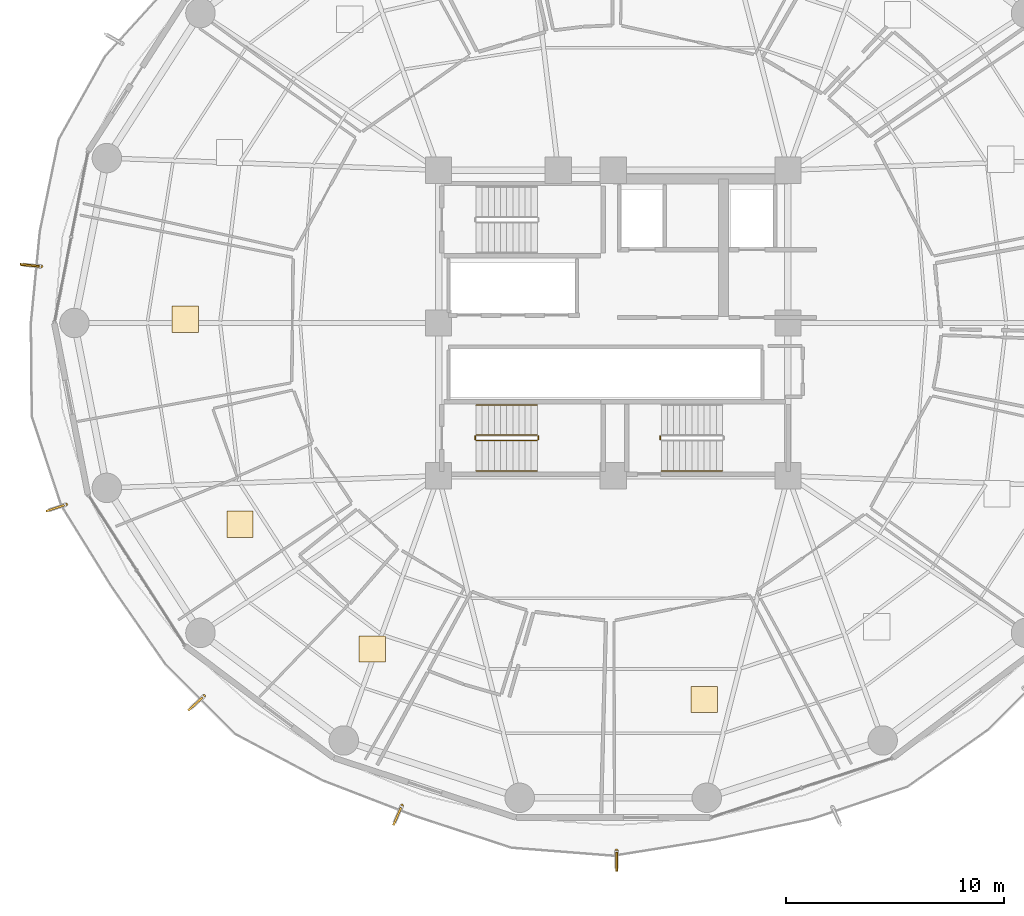
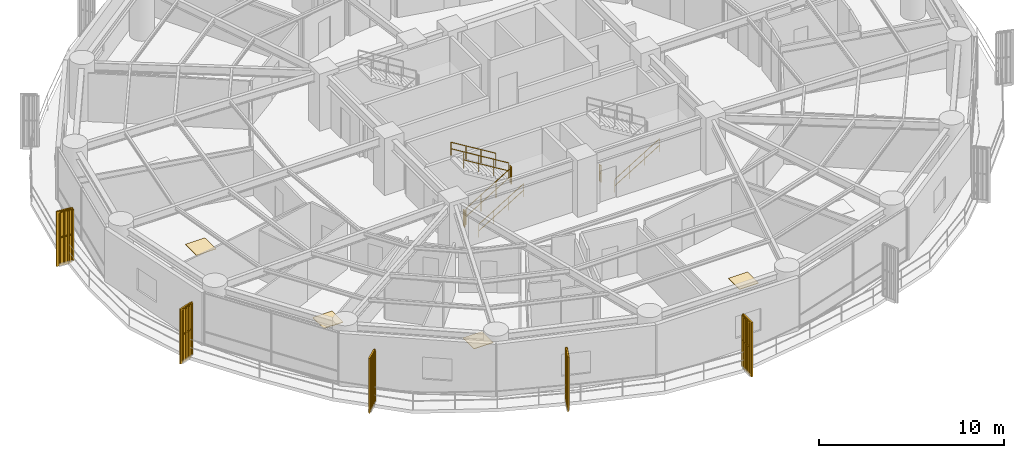
# One storey, part 33 of 35: 13 railings, 5 shading devices, 4 coverings.
"""IFC4 building model written with IfcOpenShell, lengths in metres."""

from ifc_helpers import new_model, si_unit, direction, frame, origin, origin_2d, place, context, subcontext, project, spatial, polyline, rectangle, outline, extrude, source, transform, mapped, material, layer, layer_set, type_object, element, save


model = new_model("IFC4")

# Units and contexts
model_context = context("Model", 3, precision=1e-05, world=origin(), true_north=direction((0.0, 1.0)))
body_context = subcontext(model_context, "Body", "Model", "MODEL_VIEW")
ifc_project = project(units=[si_unit("LENGTHUNIT", "METRE"), si_unit("AREAUNIT", "SQUARE_METRE"), si_unit("VOLUMEUNIT", "CUBIC_METRE"), si_unit("PLANEANGLEUNIT", "RADIAN"), si_unit("MASSUNIT", "GRAM", prefix="KILO")], contexts=[model_context])

# Site, building, storey
site_placement = place(None, origin())
site = spatial("IfcSite", under=ifc_project, at=site_placement, CompositionType="ELEMENT")
building_placement = place(site_placement, origin())
building = spatial("IfcBuilding", under=site, at=building_placement, Name="Kelanora Arch Commons", CompositionType="ELEMENT")
storey_placement = place(building_placement, frame((0.0, 0.0, 121.35009765625)))
storey = spatial("IfcBuildingStorey", under=building, at=storey_placement, Name="L31", CompositionType="ELEMENT", Elevation=121.35009765625)

# Railings
ifc_material_1 = material(Name="Anodised bronze vertical shading fin rib assembly")
railing_type_1 = type_object("IfcRailingType", Name="RAIL-FIN-BRZ", PredefinedType="BALUSTRADE", material=ifc_material_1)
railing_1_placement = place(storey_placement, frame((47.801025390625, 60.588623046875, -0.02001953125)))
element("IfcRailing", 1, at=railing_1_placement, inside=storey, type_object=railing_type_1, Name="Sweeping Bronze Vertical Fin Blade L31-06", PredefinedType="BALUSTRADE", context=body_context, shape_type="SweptSolid", body=[
    extrude(outline(polyline([(0.06982421875, 0.0), (0.034912109375, 0.060546875), (-0.034912109375, 0.060546875), (-0.06982421875, 0.0), (-0.034912109375, -0.060546875), (0.034912109375, -0.060546875), (0.06982421875, 0.0)])), frame((0.0, 0.0, 3.419921875), z_axis=(-0.995144539727, 0.098424311284, 0.0), x_axis=(-0.098424311284, -0.995144539727, 0.0)), (0.0, 0.0, 1.0), 0.783935546875),
    extrude(outline(polyline([(0.06982421875, 0.0), (0.034912109375, 0.060546875), (-0.034912109375, 0.060546875), (-0.06982421875, 0.0), (-0.034912109375, -0.060546875), (0.034912109375, -0.060546875), (0.06982421875, 0.0)])), frame((0.0, 0.0, 1.7451171875), z_axis=(-0.995144539727, 0.098424311284, 0.0), x_axis=(-0.098424311284, -0.995144539727, 0.0)), (0.0, 0.0, 1.0), 0.783935546875),
    extrude(outline(polyline([(0.080078125, 0.0), (0.0400390625, 0.0693359375), (-0.0400390625, 0.0693359375), (-0.080078125, 0.0), (-0.0400390625, -0.0693359375), (0.0400390625, -0.0693359375), (0.080078125, 0.0)])), origin(), (0.0, 0.0, 1.0), 3.35009765625),
    extrude(outline(polyline([(0.080078125, 0.0), (0.0400390625, 0.0693359375), (-0.0400390625, 0.0693359375), (-0.080078125, 0.0), (-0.0400390625, -0.0693359375), (0.0400390625, -0.0693359375), (0.080078125, 0.0)])), frame((-0.260009765625, 0.025634765625, 0.0)), (0.0, 0.0, 1.0), 3.35009765625),
    extrude(outline(polyline([(0.080078125, 0.0), (0.0400390625, 0.0693359375), (-0.0400390625, 0.0693359375), (-0.080078125, 0.0), (-0.0400390625, -0.0693359375), (0.0400390625, -0.0693359375), (0.080078125, 0.0)])), frame((-0.52001953125, 0.051513671875, 0.0)), (0.0, 0.0, 1.0), 3.35009765625),
    extrude(outline(polyline([(0.080078125, 0.0), (0.0400390625, 0.0693359375), (-0.0400390625, 0.0693359375), (-0.080078125, 0.0), (-0.0400390625, -0.0693359375), (0.0400390625, -0.0693359375), (0.080078125, 0.0)])), frame((-0.780029296875, 0.0771484375, 0.0)), (0.0, 0.0, 1.0), 3.35009765625),
])
railing_2_placement = place(storey_placement, frame((48.943359375, 49.685546875, -0.02001953125)))
element("IfcRailing", 2, at=railing_2_placement, inside=storey, type_object=railing_type_1, Name="Sweeping Bronze Vertical Fin Blade L31-07", PredefinedType="BALUSTRADE", context=body_context, shape_type="SweptSolid", body=[
    extrude(outline(polyline([(0.06982421875, 0.0), (0.034912109375, 0.060546875), (-0.034912109375, 0.060546875), (-0.06982421875, 0.0), (-0.034912109375, -0.060546875), (0.034912109375, -0.060546875), (0.06982421875, 0.0)])), frame((0.0, 0.0, 3.419921875), z_axis=(-0.949118485859, -0.314919195669, 0.0), x_axis=(0.314919195669, -0.949118485859, 0.0)), (0.0, 0.0, 1.0), 0.78369140625),
    extrude(outline(polyline([(0.06982421875, 0.0), (0.034912109375, 0.060546875), (-0.034912109375, 0.060546875), (-0.06982421875, 0.0), (-0.034912109375, -0.060546875), (0.034912109375, -0.060546875), (0.06982421875, 0.0)])), frame((0.0, 0.0, 1.7451171875), z_axis=(-0.949118485859, -0.314919195669, 0.0), x_axis=(0.314919195669, -0.949118485859, 0.0)), (0.0, 0.0, 1.0), 0.78369140625),
    extrude(outline(polyline([(0.080078125, 0.0), (0.0400390625, 0.0693359375), (-0.0400390625, 0.0693359375), (-0.080078125, 0.0), (-0.0400390625, -0.0693359375), (0.0400390625, -0.0693359375), (0.080078125, 0.0)])), origin(), (0.0, 0.0, 1.0), 3.35009765625),
    extrude(outline(polyline([(0.080078125, 0.0), (0.0400390625, 0.0693359375), (-0.0400390625, 0.0693359375), (-0.080078125, 0.0), (-0.0400390625, -0.0693359375), (0.0400390625, -0.0693359375), (0.080078125, 0.0)])), frame((-0.248046875, -0.082275390625, 0.0)), (0.0, 0.0, 1.0), 3.35009765625),
    extrude(outline(polyline([(0.080078125, 0.0), (0.0400390625, 0.0693359375), (-0.0400390625, 0.0693359375), (-0.080078125, 0.0), (-0.0400390625, -0.0693359375), (0.0400390625, -0.0693359375), (0.080078125, 0.0)])), frame((-0.495849609375, -0.16455078125, 0.0)), (0.0, 0.0, 1.0), 3.35009765625),
    extrude(outline(polyline([(0.080078125, 0.0), (0.0400390625, 0.0693359375), (-0.0400390625, 0.0693359375), (-0.080078125, 0.0), (-0.0400390625, -0.0693359375), (0.0400390625, -0.0693359375), (0.080078125, 0.0)])), frame((-0.743896484375, -0.246826171875, 0.0)), (0.0, 0.0, 1.0), 3.35009765625),
])
railing_3_placement = place(storey_placement, frame((55.257568359375, 40.91162109375, -0.02001953125)))
element("IfcRailing", 3, at=railing_3_placement, inside=storey, type_object=railing_type_1, Name="Sweeping Bronze Vertical Fin Blade L31-08", PredefinedType="BALUSTRADE", context=body_context, shape_type="SweptSolid", body=[
    extrude(outline(polyline([(0.06982421875, 0.0), (0.034912109375, 0.060546875), (-0.034912109375, 0.060546875), (-0.06982421875, 0.0), (-0.034912109375, -0.060546875), (0.034912109375, -0.060546875), (0.06982421875, 0.0)])), frame((0.0, 0.0, 3.419921875), z_axis=(-0.738910226154, -0.673803886665, 0.0), x_axis=(0.673803886665, -0.738910226154, 0.0)), (0.0, 0.0, 1.0), 0.78369140625),
    extrude(outline(polyline([(0.06982421875, 0.0), (0.034912109375, 0.060546875), (-0.034912109375, 0.060546875), (-0.06982421875, 0.0), (-0.034912109375, -0.060546875), (0.034912109375, -0.060546875), (0.06982421875, 0.0)])), frame((0.0, 0.0, 1.7451171875), z_axis=(-0.738910226154, -0.673803886665, 0.0), x_axis=(0.673803886665, -0.738910226154, 0.0)), (0.0, 0.0, 1.0), 0.78369140625),
    extrude(outline(polyline([(0.080078125, 0.0), (0.0400390625, 0.0693359375), (-0.0400390625, 0.0693359375), (-0.080078125, 0.0), (-0.0400390625, -0.0693359375), (0.0400390625, -0.0693359375), (0.080078125, 0.0)])), origin(), (0.0, 0.0, 1.0), 3.35009765625),
    extrude(outline(polyline([(0.080078125, 0.0), (0.0400390625, 0.0693359375), (-0.0400390625, 0.0693359375), (-0.080078125, 0.0), (-0.0400390625, -0.0693359375), (0.0400390625, -0.0693359375), (0.080078125, 0.0)])), frame((-0.193115234375, -0.176025390625, 0.0)), (0.0, 0.0, 1.0), 3.35009765625),
    extrude(outline(polyline([(0.080078125, 0.0), (0.0400390625, 0.0693359375), (-0.0400390625, 0.0693359375), (-0.080078125, 0.0), (-0.0400390625, -0.0693359375), (0.0400390625, -0.0693359375), (0.080078125, 0.0)])), frame((-0.385986328125, -0.35205078125, 0.0)), (0.0, 0.0, 1.0), 3.35009765625),
    extrude(outline(polyline([(0.080078125, 0.0), (0.0400390625, 0.0693359375), (-0.0400390625, 0.0693359375), (-0.080078125, 0.0), (-0.0400390625, -0.0693359375), (0.0400390625, -0.0693359375), (0.080078125, 0.0)])), frame((-0.5791015625, -0.528076171875, 0.0)), (0.0, 0.0, 1.0), 3.35009765625),
])
railing_4_placement = place(storey_placement, frame((64.32080078125, 35.890869140625, -0.02001953125)))
element("IfcRailing", 4, at=railing_4_placement, inside=storey, type_object=railing_type_1, Name="Sweeping Bronze Vertical Fin Blade L31-09", PredefinedType="BALUSTRADE", context=body_context, shape_type="SweptSolid", body=[
    extrude(outline(polyline([(0.06982421875, 0.0), (0.034912109375, 0.060546875), (-0.034912109375, 0.060546875), (-0.06982421875, 0.0), (-0.034912109375, -0.060546875), (0.034912109375, -0.060546875), (0.06982421875, 0.0)])), frame((0.0, 0.0, 3.419921875), z_axis=(-0.400900537351, -0.916121585354, 0.0), x_axis=(0.916121585354, -0.400900537351, 0.0)), (0.0, 0.0, 1.0), 0.78369140625),
    extrude(outline(polyline([(0.06982421875, 0.0), (0.034912109375, 0.060546875), (-0.034912109375, 0.060546875), (-0.06982421875, 0.0), (-0.034912109375, -0.060546875), (0.034912109375, -0.060546875), (0.06982421875, 0.0)])), frame((0.0, 0.0, 1.7451171875), z_axis=(-0.400900537351, -0.916121585354, 0.0), x_axis=(0.916121585354, -0.400900537351, 0.0)), (0.0, 0.0, 1.0), 0.78369140625),
    extrude(outline(polyline([(0.080078125, 0.0), (0.0400390625, 0.0693359375), (-0.0400390625, 0.0693359375), (-0.080078125, 0.0), (-0.0400390625, -0.0693359375), (0.0400390625, -0.0693359375), (0.080078125, 0.0)])), origin(), (0.0, 0.0, 1.0), 3.35009765625),
    extrude(outline(polyline([(0.080078125, 0.0), (0.0400390625, 0.0693359375), (-0.0400390625, 0.0693359375), (-0.080078125, 0.0), (-0.0400390625, -0.0693359375), (0.0400390625, -0.0693359375), (0.080078125, 0.0)])), frame((-0.104736328125, -0.2392578125, 0.0)), (0.0, 0.0, 1.0), 3.35009765625),
    extrude(outline(polyline([(0.080078125, 0.0), (0.0400390625, 0.0693359375), (-0.0400390625, 0.0693359375), (-0.080078125, 0.0), (-0.0400390625, -0.0693359375), (0.0400390625, -0.0693359375), (0.080078125, 0.0)])), frame((-0.20947265625, -0.478759765625, 0.0)), (0.0, 0.0, 1.0), 3.35009765625),
    extrude(outline(polyline([(0.080078125, 0.0), (0.0400390625, 0.0693359375), (-0.0400390625, 0.0693359375), (-0.080078125, 0.0), (-0.0400390625, -0.0693359375), (0.0400390625, -0.0693359375), (0.080078125, 0.0)])), frame((-0.314208984375, -0.718017578125, 0.0)), (0.0, 0.0, 1.0), 3.35009765625),
])
railing_5_placement = place(storey_placement, frame((74.150390625, 33.8505859375, -0.02001953125)))
element("IfcRailing", 5, at=railing_5_placement, inside=storey, type_object=railing_type_1, Name="Sweeping Bronze Vertical Fin Blade L31-10", PredefinedType="BALUSTRADE", context=body_context, shape_type="SweptSolid", body=[
    extrude(outline(polyline([(0.06982421875, 0.0), (0.034912109375, 0.060546875), (-0.034912109375, 0.060546875), (-0.06982421875, 0.0), (-0.034912109375, -0.060546875), (0.034912109375, -0.060546875), (0.06982421875, 0.0)])), frame((0.0, 0.0, 3.419921875), z_axis=(0.006541916084, -0.999978601438, 0.0), x_axis=(0.999978601438, 0.006541916084, 0.0)), (0.0, 0.0, 1.0), 0.78369140625),
    extrude(outline(polyline([(0.06982421875, 0.0), (0.034912109375, 0.060546875), (-0.034912109375, 0.060546875), (-0.06982421875, 0.0), (-0.034912109375, -0.060546875), (0.034912109375, -0.060546875), (0.06982421875, 0.0)])), frame((0.0, 0.0, 1.7451171875), z_axis=(0.006541916084, -0.999978601438, 0.0), x_axis=(0.999978601438, 0.006541916084, 0.0)), (0.0, 0.0, 1.0), 0.78369140625),
    extrude(outline(polyline([(0.080078125, 0.0), (0.0400390625, 0.0693359375), (-0.0400390625, 0.0693359375), (-0.080078125, 0.0), (-0.0400390625, -0.0693359375), (0.0400390625, -0.0693359375), (0.080078125, 0.0)])), origin(), (0.0, 0.0, 1.0), 3.35009765625),
    extrude(outline(polyline([(0.080078125, 0.0), (0.0400390625, 0.0693359375), (-0.0400390625, 0.0693359375), (-0.080078125, 0.0), (-0.0400390625, -0.0693359375), (0.0400390625, -0.0693359375), (0.080078125, 0.0)])), frame((0.001708984375, -0.26123046875, 0.0)), (0.0, 0.0, 1.0), 3.35009765625),
    extrude(outline(polyline([(0.080078125, 0.0), (0.0400390625, 0.0693359375), (-0.0400390625, 0.0693359375), (-0.080078125, 0.0), (-0.0400390625, -0.0693359375), (0.0400390625, -0.0693359375), (0.080078125, 0.0)])), frame((0.00341796875, -0.5224609375, 0.0)), (0.0, 0.0, 1.0), 3.35009765625),
    extrude(outline(polyline([(0.080078125, 0.0), (0.0400390625, 0.0693359375), (-0.0400390625, 0.0693359375), (-0.080078125, 0.0), (-0.0400390625, -0.0693359375), (0.0400390625, -0.0693359375), (0.080078125, 0.0)])), frame((0.005126953125, -0.78369140625, 0.0)), (0.0, 0.0, 1.0), 3.35009765625),
])
ifc_material_2 = material(Name="Painted steel stair well guard", Category="steel")
railing_type_2 = type_object("IfcRailingType", Name="RAIL-STAIR-GRD", PredefinedType="GUARDRAIL", material=ifc_material_2)
railing_6_placement = place(storey_placement, frame((76.14990234375, 52.659912109375, 0.0)))
element("IfcRailing", 6, at=railing_6_placement, inside=storey, type_object=railing_type_2, Name="L31 ST-T2 stair guard 4", PredefinedType="GUARDRAIL", context=body_context, shape_type="SweptSolid", body=[
    extrude(outline(polyline([(0.02392578125, 0.0), (0.011962890625, 0.020751953125), (-0.011962890625, 0.020751953125), (-0.02392578125, 0.0), (-0.011962890625, -0.020751953125), (0.011962890625, -0.020751953125), (0.02392578125, 0.0)])), frame((0.0, 0.0, 1.076171875), z_axis=(0.0, 1.0, 0.0), x_axis=(-1.0, 0.0, 0.0)), (0.0, 0.0, 1.0), 0.150146484375),
    extrude(outline(polyline([(0.02392578125, 0.0), (0.011962890625, 0.020751953125), (-0.011962890625, 0.020751953125), (-0.02392578125, 0.0), (-0.011962890625, -0.020751953125), (0.011962890625, -0.020751953125), (0.02392578125, 0.0)])), frame((0.0, 0.0, 0.550048828125), z_axis=(0.0, 1.0, 0.0), x_axis=(-1.0, 0.0, 0.0)), (0.0, 0.0, 1.0), 0.150146484375),
    extrude(outline(polyline([(0.02099609375, 0.0), (0.010498046875, 0.01806640625), (-0.010498046875, 0.01806640625), (-0.02099609375, 0.0), (-0.010498046875, -0.01806640625), (0.010498046875, -0.01806640625), (0.02099609375, 0.0)])), origin(), (0.0, 0.0, 1.0), 1.052001953125),
    extrude(outline(polyline([(0.02099609375, 0.0), (0.010498046875, 0.01806640625), (-0.010498046875, 0.01806640625), (-0.02099609375, 0.0), (-0.010498046875, -0.01806640625), (0.010498046875, -0.01806640625), (0.02099609375, 0.0)])), frame((0.0, 0.150146484375, 0.0)), (0.0, 0.0, 1.0), 1.052001953125),
])
railing_7_placement = place(storey_placement, frame((67.719970703125, 52.610107421875, 0.17041015625)))
element("IfcRailing", 7, at=railing_7_placement, inside=storey, type_object=railing_type_2, Name="L31 ST-T3 stair guard 1", PredefinedType="GUARDRAIL", context=body_context, shape_type="SweptSolid", body=[
    extrude(outline(polyline([(0.02392578125, 0.0), (0.011962890625, 0.020751953125), (-0.011962890625, 0.020751953125), (-0.02392578125, 0.0), (-0.011962890625, -0.020751953125), (0.011962890625, -0.020751953125), (0.02392578125, 0.0)])), frame((0.0, 0.0, 1.076171875), z_axis=(0.854169791009, 0.0, 0.51999420009), x_axis=(0.0, 1.0, 0.0)), (0.0, 0.0, 1.0), 3.278076171875),
    extrude(outline(polyline([(0.02392578125, 0.0), (0.011962890625, 0.020751953125), (-0.011962890625, 0.020751953125), (-0.02392578125, 0.0), (-0.011962890625, -0.020751953125), (0.011962890625, -0.020751953125), (0.02392578125, 0.0)])), frame((0.0, 0.0, 0.550048828125), z_axis=(0.854169791009, 0.0, 0.51999420009), x_axis=(0.0, 1.0, 0.0)), (0.0, 0.0, 1.0), 3.278076171875),
    extrude(outline(polyline([(0.02099609375, 0.0), (0.010498046875, 0.01806640625), (-0.010498046875, 0.01806640625), (-0.02099609375, 0.0), (-0.010498046875, -0.01806640625), (0.010498046875, -0.01806640625), (0.02099609375, 0.0)])), origin(), (0.0, 0.0, 1.0), 1.052001953125),
    extrude(outline(polyline([(0.02099609375, 0.0), (0.010498046875, 0.01806640625), (-0.010498046875, 0.01806640625), (-0.02099609375, 0.0), (-0.010498046875, -0.01806640625), (0.010498046875, -0.01806640625), (0.02099609375, 0.0)])), frame((0.933349609375, 0.0, 0.568115234375)), (0.0, 0.0, 1.0), 1.052001953125),
    extrude(outline(polyline([(0.02099609375, 0.0), (0.010498046875, 0.01806640625), (-0.010498046875, 0.01806640625), (-0.02099609375, 0.0), (-0.010498046875, -0.01806640625), (0.010498046875, -0.01806640625), (0.02099609375, 0.0)])), frame((1.86669921875, 0.0, 1.136474609375)), (0.0, 0.0, 1.0), 1.052001953125),
    extrude(outline(polyline([(0.02099609375, 0.0), (0.010498046875, 0.01806640625), (-0.010498046875, 0.01806640625), (-0.02099609375, 0.0), (-0.010498046875, -0.01806640625), (0.010498046875, -0.01806640625), (0.02099609375, 0.0)])), frame((2.800048828125, 0.0, 1.70458984375)), (0.0, 0.0, 1.0), 1.052001953125),
])
railing_8_placement = place(storey_placement, frame((70.570068359375, 52.659912109375, 1.875)))
element("IfcRailing", 8, at=railing_8_placement, inside=storey, type_object=railing_type_2, Name="L31 ST-T3 stair guard 2", PredefinedType="GUARDRAIL", context=body_context, shape_type="SweptSolid", body=[
    extrude(outline(polyline([(0.02392578125, 0.0), (0.011962890625, 0.020751953125), (-0.011962890625, 0.020751953125), (-0.02392578125, 0.0), (-0.011962890625, -0.020751953125), (0.011962890625, -0.020751953125), (0.02392578125, 0.0)])), frame((0.0, 0.0, 1.076171875), z_axis=(0.0, 1.0, 0.0), x_axis=(-1.0, 0.0, 0.0)), (0.0, 0.0, 1.0), 0.150146484375),
    extrude(outline(polyline([(0.02392578125, 0.0), (0.011962890625, 0.020751953125), (-0.011962890625, 0.020751953125), (-0.02392578125, 0.0), (-0.011962890625, -0.020751953125), (0.011962890625, -0.020751953125), (0.02392578125, 0.0)])), frame((0.0, 0.0, 0.550048828125), z_axis=(0.0, 1.0, 0.0), x_axis=(-1.0, 0.0, 0.0)), (0.0, 0.0, 1.0), 0.150146484375),
    extrude(outline(polyline([(0.02099609375, 0.0), (0.010498046875, 0.01806640625), (-0.010498046875, 0.01806640625), (-0.02099609375, 0.0), (-0.010498046875, -0.01806640625), (0.010498046875, -0.01806640625), (0.02099609375, 0.0)])), origin(), (0.0, 0.0, 1.0), 1.052001953125),
    extrude(outline(polyline([(0.02099609375, 0.0), (0.010498046875, 0.01806640625), (-0.010498046875, 0.01806640625), (-0.02099609375, 0.0), (-0.010498046875, -0.01806640625), (0.010498046875, -0.01806640625), (0.02099609375, 0.0)])), frame((0.0, 0.150146484375, 0.0)), (0.0, 0.0, 1.0), 1.052001953125),
])
railing_9_placement = place(storey_placement, frame((70.52001953125, 52.860107421875, 2.04541015625)))
element("IfcRailing", 9, at=railing_9_placement, inside=storey, type_object=railing_type_2, Name="L31 ST-T3 stair guard 3", PredefinedType="GUARDRAIL", context=body_context, shape_type="SweptSolid", body=[
    extrude(outline(polyline([(0.02392578125, 0.0), (0.011962890625, 0.020751953125), (-0.011962890625, 0.020751953125), (-0.02392578125, 0.0), (-0.011962890625, -0.020751953125), (0.011962890625, -0.020751953125), (0.02392578125, 0.0)])), frame((0.0, 0.0, 1.076171875), z_axis=(-0.854169791009, 0.0, 0.51999420009), x_axis=(0.0, -1.0, 0.0)), (0.0, 0.0, 1.0), 3.278076171875),
    extrude(outline(polyline([(0.02392578125, 0.0), (0.011962890625, 0.020751953125), (-0.011962890625, 0.020751953125), (-0.02392578125, 0.0), (-0.011962890625, -0.020751953125), (0.011962890625, -0.020751953125), (0.02392578125, 0.0)])), frame((0.0, 0.0, 0.550048828125), z_axis=(-0.854169791009, 0.0, 0.51999420009), x_axis=(0.0, -1.0, 0.0)), (0.0, 0.0, 1.0), 3.278076171875),
    extrude(outline(polyline([(0.02099609375, 0.0), (0.010498046875, 0.01806640625), (-0.010498046875, 0.01806640625), (-0.02099609375, 0.0), (-0.010498046875, -0.01806640625), (0.010498046875, -0.01806640625), (0.02099609375, 0.0)])), origin(), (0.0, 0.0, 1.0), 1.052001953125),
    extrude(outline(polyline([(0.02099609375, 0.0), (0.010498046875, 0.01806640625), (-0.010498046875, 0.01806640625), (-0.02099609375, 0.0), (-0.010498046875, -0.01806640625), (0.010498046875, -0.01806640625), (0.02099609375, 0.0)])), frame((-0.933349609375, 0.0, 0.568115234375)), (0.0, 0.0, 1.0), 1.052001953125),
    extrude(outline(polyline([(0.02099609375, 0.0), (0.010498046875, 0.01806640625), (-0.010498046875, 0.01806640625), (-0.02099609375, 0.0), (-0.010498046875, -0.01806640625), (0.010498046875, -0.01806640625), (0.02099609375, 0.0)])), frame((-1.86669921875, 0.0, 1.136474609375)), (0.0, 0.0, 1.0), 1.052001953125),
    extrude(outline(polyline([(0.02099609375, 0.0), (0.010498046875, 0.01806640625), (-0.010498046875, 0.01806640625), (-0.02099609375, 0.0), (-0.010498046875, -0.01806640625), (0.010498046875, -0.01806640625), (0.02099609375, 0.0)])), frame((-2.800048828125, 0.0, 1.70458984375)), (0.0, 0.0, 1.0), 1.052001953125),
])
railing_10_placement = place(storey_placement, frame((67.669921875, 52.659912109375, 0.0)))
element("IfcRailing", 10, at=railing_10_placement, inside=storey, type_object=railing_type_2, Name="L31 ST-T3 stair guard 4", PredefinedType="GUARDRAIL", context=body_context, shape_type="SweptSolid", body=[
    extrude(outline(polyline([(0.02392578125, 0.0), (0.011962890625, 0.020751953125), (-0.011962890625, 0.020751953125), (-0.02392578125, 0.0), (-0.011962890625, -0.020751953125), (0.011962890625, -0.020751953125), (0.02392578125, 0.0)])), frame((0.0, 0.0, 1.076171875), z_axis=(0.0, 1.0, 0.0), x_axis=(-1.0, 0.0, 0.0)), (0.0, 0.0, 1.0), 0.150146484375),
    extrude(outline(polyline([(0.02392578125, 0.0), (0.011962890625, 0.020751953125), (-0.011962890625, 0.020751953125), (-0.02392578125, 0.0), (-0.011962890625, -0.020751953125), (0.011962890625, -0.020751953125), (0.02392578125, 0.0)])), frame((0.0, 0.0, 0.550048828125), z_axis=(0.0, 1.0, 0.0), x_axis=(-1.0, 0.0, 0.0)), (0.0, 0.0, 1.0), 0.150146484375),
    extrude(outline(polyline([(0.02099609375, 0.0), (0.010498046875, 0.01806640625), (-0.010498046875, 0.01806640625), (-0.02099609375, 0.0), (-0.010498046875, -0.01806640625), (0.010498046875, -0.01806640625), (0.02099609375, 0.0)])), origin(), (0.0, 0.0, 1.0), 1.052001953125),
    extrude(outline(polyline([(0.02099609375, 0.0), (0.010498046875, 0.01806640625), (-0.010498046875, 0.01806640625), (-0.02099609375, 0.0), (-0.010498046875, -0.01806640625), (0.010498046875, -0.01806640625), (0.02099609375, 0.0)])), frame((0.0, 0.150146484375, 0.0)), (0.0, 0.0, 1.0), 1.052001953125),
])
ifc_material_3 = material(Name="Brushed stainless steel stair handrail", Category="steel")
railing_type_3 = type_object("IfcRailingType", Name="RAIL-STAIR-HND", PredefinedType="HANDRAIL", material=ifc_material_3)
railing_11_placement = place(storey_placement, frame((76.199951171875, 51.22998046875, 0.17041015625)))
element("IfcRailing", 11, at=railing_11_placement, inside=storey, type_object=railing_type_3, Name="L31 ST-T2 stair handrail 1", PredefinedType="HANDRAIL", context=body_context, shape_type="SweptSolid", body=[
    extrude(outline(polyline([(0.02392578125, 0.0), (0.011962890625, 0.020751953125), (-0.011962890625, 0.020751953125), (-0.02392578125, 0.0), (-0.011962890625, -0.020751953125), (0.011962890625, -0.020751953125), (0.02392578125, 0.0)])), frame((0.0, 0.0, 0.8759765625), z_axis=(0.854169791009, 0.0, 0.51999420009), x_axis=(0.0, 1.0, 0.0)), (0.0, 0.0, 1.0), 3.278076171875),
    extrude(outline(polyline([(0.02392578125, 0.0), (0.011962890625, 0.020751953125), (-0.011962890625, 0.020751953125), (-0.02392578125, 0.0), (-0.011962890625, -0.020751953125), (0.011962890625, -0.020751953125), (0.02392578125, 0.0)])), frame((0.0, 0.0, 0.449951171875), z_axis=(0.854169791009, 0.0, 0.51999420009), x_axis=(0.0, 1.0, 0.0)), (0.0, 0.0, 1.0), 3.278076171875),
    extrude(outline(polyline([(0.02099609375, 0.0), (0.010498046875, 0.01806640625), (-0.010498046875, 0.01806640625), (-0.02099609375, 0.0), (-0.010498046875, -0.01806640625), (0.010498046875, -0.01806640625), (0.02099609375, 0.0)])), origin(), (0.0, 0.0, 1.0), 0.851806640625),
    extrude(outline(polyline([(0.02099609375, 0.0), (0.010498046875, 0.01806640625), (-0.010498046875, 0.01806640625), (-0.02099609375, 0.0), (-0.010498046875, -0.01806640625), (0.010498046875, -0.01806640625), (0.02099609375, 0.0)])), frame((0.933349609375, 0.0, 0.568115234375)), (0.0, 0.0, 1.0), 0.851806640625),
    extrude(outline(polyline([(0.02099609375, 0.0), (0.010498046875, 0.01806640625), (-0.010498046875, 0.01806640625), (-0.02099609375, 0.0), (-0.010498046875, -0.01806640625), (0.010498046875, -0.01806640625), (0.02099609375, 0.0)])), frame((1.86669921875, 0.0, 1.136474609375)), (0.0, 0.0, 1.0), 0.851806640625),
    extrude(outline(polyline([(0.02099609375, 0.0), (0.010498046875, 0.01806640625), (-0.010498046875, 0.01806640625), (-0.02099609375, 0.0), (-0.010498046875, -0.01806640625), (0.010498046875, -0.01806640625), (0.02099609375, 0.0)])), frame((2.800048828125, 0.0, 1.70458984375)), (0.0, 0.0, 1.0), 0.851806640625),
])
railing_12_placement = place(storey_placement, frame((67.719970703125, 51.22998046875, 0.17041015625)))
element("IfcRailing", 12, at=railing_12_placement, inside=storey, type_object=railing_type_3, Name="L31 ST-T3 stair handrail 1", PredefinedType="HANDRAIL", context=body_context, shape_type="SweptSolid", body=[
    extrude(outline(polyline([(0.02392578125, 0.0), (0.011962890625, 0.020751953125), (-0.011962890625, 0.020751953125), (-0.02392578125, 0.0), (-0.011962890625, -0.020751953125), (0.011962890625, -0.020751953125), (0.02392578125, 0.0)])), frame((0.0, 0.0, 0.8759765625), z_axis=(0.854169791009, 0.0, 0.51999420009), x_axis=(0.0, 1.0, 0.0)), (0.0, 0.0, 1.0), 3.278076171875),
    extrude(outline(polyline([(0.02392578125, 0.0), (0.011962890625, 0.020751953125), (-0.011962890625, 0.020751953125), (-0.02392578125, 0.0), (-0.011962890625, -0.020751953125), (0.011962890625, -0.020751953125), (0.02392578125, 0.0)])), frame((0.0, 0.0, 0.449951171875), z_axis=(0.854169791009, 0.0, 0.51999420009), x_axis=(0.0, 1.0, 0.0)), (0.0, 0.0, 1.0), 3.278076171875),
    extrude(outline(polyline([(0.02099609375, 0.0), (0.010498046875, 0.01806640625), (-0.010498046875, 0.01806640625), (-0.02099609375, 0.0), (-0.010498046875, -0.01806640625), (0.010498046875, -0.01806640625), (0.02099609375, 0.0)])), origin(), (0.0, 0.0, 1.0), 0.851806640625),
    extrude(outline(polyline([(0.02099609375, 0.0), (0.010498046875, 0.01806640625), (-0.010498046875, 0.01806640625), (-0.02099609375, 0.0), (-0.010498046875, -0.01806640625), (0.010498046875, -0.01806640625), (0.02099609375, 0.0)])), frame((0.933349609375, 0.0, 0.568115234375)), (0.0, 0.0, 1.0), 0.851806640625),
    extrude(outline(polyline([(0.02099609375, 0.0), (0.010498046875, 0.01806640625), (-0.010498046875, 0.01806640625), (-0.02099609375, 0.0), (-0.010498046875, -0.01806640625), (0.010498046875, -0.01806640625), (0.02099609375, 0.0)])), frame((1.86669921875, 0.0, 1.136474609375)), (0.0, 0.0, 1.0), 0.851806640625),
    extrude(outline(polyline([(0.02099609375, 0.0), (0.010498046875, 0.01806640625), (-0.010498046875, 0.01806640625), (-0.02099609375, 0.0), (-0.010498046875, -0.01806640625), (0.010498046875, -0.01806640625), (0.02099609375, 0.0)])), frame((2.800048828125, 0.0, 1.70458984375)), (0.0, 0.0, 1.0), 0.851806640625),
])
railing_13_placement = place(storey_placement, frame((70.52001953125, 54.239990234375, 2.04541015625)))
element("IfcRailing", 13, at=railing_13_placement, inside=storey, type_object=railing_type_3, Name="L31 ST-T3 stair handrail 2", PredefinedType="HANDRAIL", context=body_context, shape_type="SweptSolid", body=[
    extrude(outline(polyline([(0.02392578125, 0.0), (0.011962890625, 0.020751953125), (-0.011962890625, 0.020751953125), (-0.02392578125, 0.0), (-0.011962890625, -0.020751953125), (0.011962890625, -0.020751953125), (0.02392578125, 0.0)])), frame((0.0, 0.0, 0.8759765625), z_axis=(-0.854169791009, 0.0, 0.51999420009), x_axis=(0.0, -1.0, 0.0)), (0.0, 0.0, 1.0), 3.278076171875),
    extrude(outline(polyline([(0.02392578125, 0.0), (0.011962890625, 0.020751953125), (-0.011962890625, 0.020751953125), (-0.02392578125, 0.0), (-0.011962890625, -0.020751953125), (0.011962890625, -0.020751953125), (0.02392578125, 0.0)])), frame((0.0, 0.0, 0.449951171875), z_axis=(-0.854169791009, 0.0, 0.51999420009), x_axis=(0.0, -1.0, 0.0)), (0.0, 0.0, 1.0), 3.278076171875),
    extrude(outline(polyline([(0.02099609375, 0.0), (0.010498046875, 0.01806640625), (-0.010498046875, 0.01806640625), (-0.02099609375, 0.0), (-0.010498046875, -0.01806640625), (0.010498046875, -0.01806640625), (0.02099609375, 0.0)])), origin(), (0.0, 0.0, 1.0), 0.851806640625),
    extrude(outline(polyline([(0.02099609375, 0.0), (0.010498046875, 0.01806640625), (-0.010498046875, 0.01806640625), (-0.02099609375, 0.0), (-0.010498046875, -0.01806640625), (0.010498046875, -0.01806640625), (0.02099609375, 0.0)])), frame((-0.933349609375, 0.0, 0.568115234375)), (0.0, 0.0, 1.0), 0.851806640625),
    extrude(outline(polyline([(0.02099609375, 0.0), (0.010498046875, 0.01806640625), (-0.010498046875, 0.01806640625), (-0.02099609375, 0.0), (-0.010498046875, -0.01806640625), (0.010498046875, -0.01806640625), (0.02099609375, 0.0)])), frame((-1.86669921875, 0.0, 1.136474609375)), (0.0, 0.0, 1.0), 0.851806640625),
    extrude(outline(polyline([(0.02099609375, 0.0), (0.010498046875, 0.01806640625), (-0.010498046875, 0.01806640625), (-0.02099609375, 0.0), (-0.010498046875, -0.01806640625), (0.010498046875, -0.01806640625), (0.02099609375, 0.0)])), frame((-2.800048828125, 0.0, 1.70458984375)), (0.0, 0.0, 1.0), 0.851806640625),
])

# Shading devices
ifc_material_4 = material(Name="Terracotta ceramic-clad extruded aluminium fin", Category="masonry")
shading_device_type = type_object("IfcShadingDeviceType", Name="SHD-FIN-FLARE", PredefinedType="USERDEFINED", material=ifc_material_4)
shared_shape_1 = source(origin(), body_context, "Body", "SweptSolid", [
    extrude(rectangle(XDim=0.8798828125, YDim=0.090087890625, at=origin_2d()), origin(), (0.0, 0.0, 1.0), 3.610107421875),
])
for number, where, z_axis, x_axis, name in (
    (14, (47.271484375, 60.64111328125, -0.14013671875), (0.0, 0.0, 1.0), (-0.995159031741, 0.09827767572, 0.0), "Sweeping Terracotta Fin L31-06"),
    (15, (48.4384765625, 49.51806640625, -0.14013671875), (0.0, 0.0, 1.0), (-0.94909614499, -0.314986519655, 0.0), "Sweeping Terracotta Fin L31-07"),
    (16, (54.864501953125, 40.55322265625, -0.14013671875), (0.0, 0.0, 1.0), (-0.738925912503, -0.673786684219, 0.0), "Sweeping Terracotta Fin L31-08"),
    (17, (64.107666015625, 35.403564453125, -0.14013671875), (0.0, 0.0, 1.0), (-0.400988676813, -0.916083009922, 0.0), "Sweeping Terracotta Fin L31-09"),
    (18, (74.15380859375, 33.318603515625, -0.14013671875), (0.0, 0.0, 1.0), (0.006283143966, -0.999980260856, 0.0), "Sweeping Terracotta Fin L31-10"),
):
    element("IfcShadingDevice", number, at=place(storey_placement, frame(where, z_axis=z_axis, x_axis=x_axis)), inside=storey, type_object=shading_device_type, Name=name, ObjectType="FIN", PredefinedType="USERDEFINED", context=body_context, shape_type="MappedRepresentation", body=[
        mapped(shared_shape_1, transform((0.0, 0.0, 0.0), scale=1.0)),
    ])

# Coverings
ifc_material_5 = material(Name="Polished local granite terrazzo flooring", Category="masonry")
ifc_layer = layer(ifc_material_5, 0.030029296875)
ifc_layer_set = layer_set([ifc_layer], Name="Polished local granite terrazzo flooring")
covering_type = type_object("IfcCoveringType", Name="COV-FLR-TER", PredefinedType="FLOORING", material=ifc_layer_set)
shared_shape_2 = source(origin(), body_context, "Body", "SweptSolid", [
    extrude(rectangle(XDim=1.199951171875, YDim=1.199951171875, at=origin_2d()), origin(), (0.0, 0.0, 1.0), 0.030029296875),
])
for number, where, z_axis, x_axis, name in (
    (19, (54.3955078125, 58.176025390625, 0.0), (0.0, 0.0, 1.0), (1.0, 0.0, 0.0), "Communal Dining and Social Hall L31-06 Terrazzo Finish"),
    (20, (56.900146484375, 48.782470703125, 0.0), (0.0, 0.0, 1.0), (1.0, 0.0, 0.0), "Quiet Reading Carrel L31-07 Terrazzo Finish"),
    (21, (62.9638671875, 43.07080078125, 0.0), (0.0, 0.0, 1.0), (1.0, 0.0, 0.0), "Tutorial Study Alcove L31-08 Terrazzo Finish"),
    (22, (78.171875, 40.754150390625, 0.0), (0.0, 0.0, 1.0), (1.0, 0.0, 0.0), "Social Sky Lounge L31-10 Terrazzo Finish"),
):
    element("IfcCovering", number, at=place(storey_placement, frame(where, z_axis=z_axis, x_axis=x_axis)), inside=storey, type_object=covering_type, Name=name, PredefinedType="FLOORING", context=body_context, shape_type="MappedRepresentation", body=[
        mapped(shared_shape_2, transform((0.0, 0.0, 0.0), scale=1.0)),
    ])

save(model, "model.ifc")
